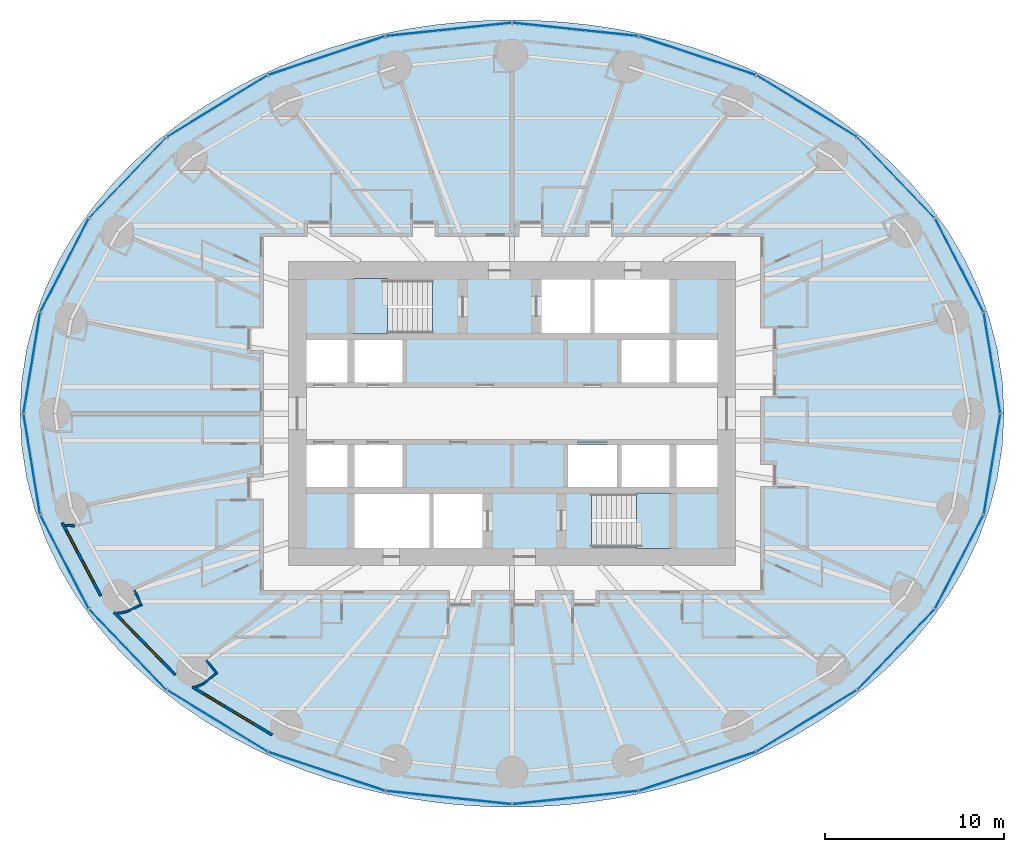
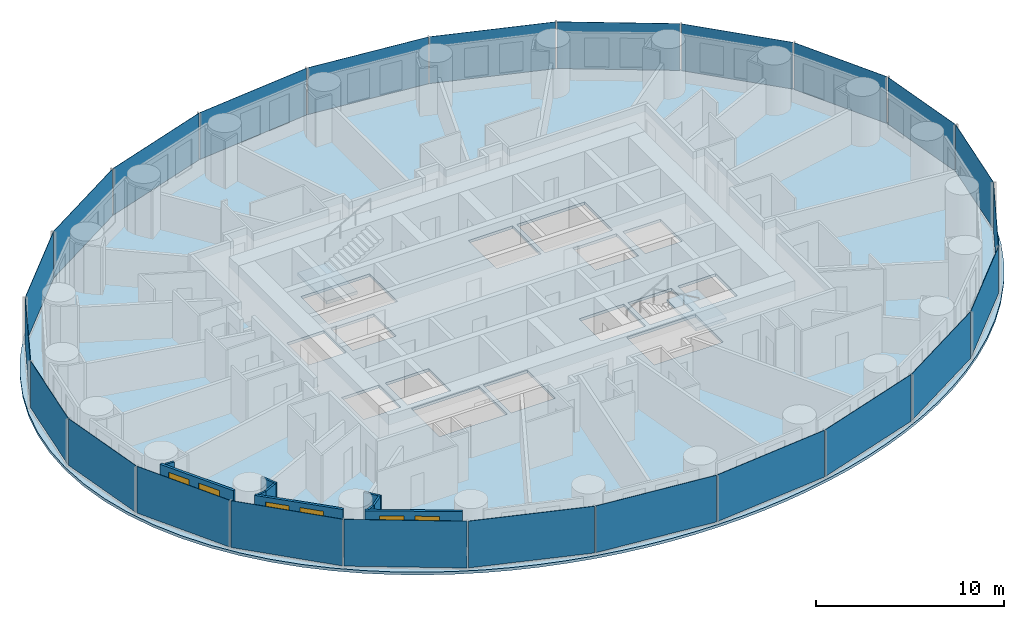
# One storey, part 5 of 14: 24 plates, 10 walls, 6 windows, 3 slabs, 6 openings, 6 elements without a shape of their own.
"""IFC4 building model written with IfcOpenShell, lengths in metres."""

import ifcopenshell
import ifcopenshell.guid

model = None  # the IFC model being written
_history = None  # IfcOwnerHistory: only IFC2X3 demands one
_inside = {}  # id of a spatial element -> (the spatial element, [elements in it])
_under = {}  # id of a project, library or spatial element -> (it, [spatial elements below it])
_declared = {}  # id of a project -> (the project, [libraries it declares])
_typed = {}  # id of a type object -> (the type object, [elements of that type])
_made_of = {}  # id of a material, layer set ... -> (it, [elements and type objects made of it])


def new_model(schema):
    """Start an empty IFC model of exactly this schema.

    Asked for "IFC4X3", IfcOpenShell would pick the latest addendum, in which some entities
    have other attributes; the version numbers below select the first issue.
    IFC2X3 requires an IfcOwnerHistory on every rooted entity: one is made here for all.
    """
    global model, _history
    if schema == "IFC4X3":
        model = ifcopenshell.file(schema_version=(4, 3, 0, 0))
    else:
        model = ifcopenshell.file(schema=schema)
    _inside.clear()
    _under.clear()
    _declared.clear()
    _typed.clear()
    _made_of.clear()
    _history = None
    if model.schema == "IFC2X3":
        org = make("IfcOrganization", Name="unknown")
        user = make(
            "IfcPersonAndOrganization",
            ThePerson=make("IfcPerson", FamilyName="unknown"),
            TheOrganization=org,
        )
        app = make(
            "IfcApplication",
            ApplicationDeveloper=org,
            Version="unknown",
            ApplicationFullName="unknown",
            ApplicationIdentifier="unknown",
        )
        _history = make(
            "IfcOwnerHistory",
            OwningUser=user,
            OwningApplication=app,
            ChangeAction="ADDED",
            CreationDate=0,
        )
    return model


def make(cls, **values):
    """One entity of the class cls with the attributes given. An attribute that is None is left unset."""
    return model.create_entity(
        cls, **{name: value for name, value in values.items() if value is not None}
    )


def rooted(cls, **values):
    """An entity with a GlobalId (a new one), such as an element, a storey or a relation."""
    return make(cls, GlobalId=ifcopenshell.guid.new(), OwnerHistory=_history, **values)


def si_unit(unit_type, name, prefix=None):
    """IfcSIUnit, for example si_unit("LENGTHUNIT", "METRE", prefix="MILLI")."""
    return make("IfcSIUnit", UnitType=unit_type, Prefix=prefix, Name=name)


def assignment(units):
    """IfcUnitAssignment: the units of a project."""
    return None if units is None else make("IfcUnitAssignment", Units=units)


def point(xyz):
    """IfcCartesianPoint."""
    return None if xyz is None else make("IfcCartesianPoint", Coordinates=xyz)


def direction(xyz):
    """IfcDirection."""
    return None if xyz is None else make("IfcDirection", DirectionRatios=xyz)


def frame(location, z_axis=None, x_axis=None):
    """IfcAxis2Placement3D, a coordinate frame: its origin and axes. An axis left out is left unset."""
    return make(
        "IfcAxis2Placement3D",
        Location=point(location),
        Axis=direction(z_axis),
        RefDirection=direction(x_axis),
    )


def frame_2d(location, x_axis=None):
    """IfcAxis2Placement2D, a coordinate frame in the plane: its origin and x axis."""
    return make(
        "IfcAxis2Placement2D", Location=point(location), RefDirection=direction(x_axis)
    )


def origin():
    """The frame at (0, 0, 0) with its axes left unset."""
    return frame((0.0, 0.0, 0.0))


def origin_2d():
    """The frame at (0, 0) in the plane with its x axis left unset."""
    return frame_2d((0.0, 0.0))


def place(relative_to, where):
    """IfcLocalPlacement: puts the frame where relative to a parent placement (None: the world)."""
    return make(
        "IfcLocalPlacement", PlacementRelTo=relative_to, RelativePlacement=where
    )


def context(
    kind, dimensions, precision=None, world=None, true_north=None, identifier=None
):
    """IfcGeometricRepresentationContext, for example the 3D "Model" context."""
    return make(
        "IfcGeometricRepresentationContext",
        ContextIdentifier=identifier,
        ContextType=kind,
        CoordinateSpaceDimension=dimensions,
        Precision=precision,
        WorldCoordinateSystem=world,
        TrueNorth=true_north,
    )


def subcontext(parent, identifier, kind, view, scale=None):
    """IfcGeometricRepresentationSubContext, for example "Body" below "Model"."""
    return make(
        "IfcGeometricRepresentationSubContext",
        ContextIdentifier=identifier,
        ContextType=kind,
        ParentContext=parent,
        TargetScale=scale,
        TargetView=view,
    )


def project(units=None, contexts=None):
    """IfcProject with its units and contexts."""
    return rooted(
        "IfcProject",
        Name="project",
        RepresentationContexts=contexts,
        UnitsInContext=assignment(units),
    )


def spatial(cls, under=None, at=None, **own):
    """A site, building, storey or space (cls), placed at a placement, below another one or the project."""
    s = rooted(cls, ObjectPlacement=at, **own)
    if under is not None:
        _under.setdefault(under.id(), (under, []))[1].append(s)
    return s


def polyline(points):
    """IfcPolyline through the points."""
    return make("IfcPolyline", Points=[point(p) for p in points])


def profile(cls, at=None, kind="AREA", **sizes):
    """A parametric profile (cls). Its sizes go by their IFC names, for example OverallWidth=200.0."""
    return make(cls, ProfileType=kind, Position=at, **sizes)


def rectangle(**sizes):
    """IfcRectangleProfileDef."""
    return profile("IfcRectangleProfileDef", **sizes)


def outline(outer, holes=None, kind="AREA"):
    """IfcArbitraryClosedProfileDef: a profile drawn as a closed curve; with holes, ...WithVoids."""
    if holes is None:
        return make("IfcArbitraryClosedProfileDef", ProfileType=kind, OuterCurve=outer)
    return make(
        "IfcArbitraryProfileDefWithVoids",
        ProfileType=kind,
        OuterCurve=outer,
        InnerCurves=holes,
    )


def extrude(swept, where, along, depth):
    """IfcExtrudedAreaSolid: the profile swept, set in the frame where, extruded along a direction by depth."""
    return make(
        "IfcExtrudedAreaSolid",
        SweptArea=swept,
        Position=where,
        ExtrudedDirection=direction(along),
        Depth=depth,
    )


def shape(context_of_items, identifier, shape_type, items):
    """IfcShapeRepresentation: the items that make up one representation, for example the "Body"."""
    return make(
        "IfcShapeRepresentation",
        ContextOfItems=context_of_items,
        RepresentationIdentifier=identifier,
        RepresentationType=shape_type,
        Items=items,
    )


def material(Name=None, Category=None):
    """IfcMaterial."""
    return make("IfcMaterial", Name=Name, Category=Category)


def layer(
    of_material, thickness, ventilated=None, Name=None, Category=None, Priority=None
):
    """IfcMaterialLayer: one layer of a wall or slab, of a material (None: an air gap)."""
    return make(
        "IfcMaterialLayer",
        Material=of_material,
        LayerThickness=thickness,
        IsVentilated=ventilated,
        Name=Name,
        Category=Category,
        Priority=Priority,
    )


def layer_set(layers, Name=None):
    """IfcMaterialLayerSet."""
    return make("IfcMaterialLayerSet", MaterialLayers=layers, LayerSetName=Name)


def made_of(thing, what):
    """Note that an element or type object is made of a material, layer set ...; save() writes the relation."""
    if what is not None:
        _made_of.setdefault(what.id(), (what, []))[1].append(thing)
    return thing


def type_object(cls, material=None, **own):
    """A type object (cls), such as IfcWallType, which elements share."""
    return made_of(rooted(cls, **own), material)


def element(
    cls,
    number,
    at=None,
    inside=None,
    cuts=None,
    type_object=None,
    material=None,
    context=None,
    identifier="Body",
    shape_type=None,
    held_by="IfcProductDefinitionShape",
    body=None,
    shapes=None,
    **own,
):
    """One element of the class cls, such as IfcWall. Its Tag is "e" and its number.

    at: its placement. inside: the storey or other place that contains it. cuts: it is an
    opening in that element (IfcRelVoidsElement). A single representation is given by context,
    identifier, shape_type and body (its items); several are given by shapes. held_by: the class
    of the entity that holds the representations. save() writes the other relations.
    """
    e = rooted(cls, Tag="e%d" % number, ObjectPlacement=at, **own)
    if body is not None:
        shapes = [shape(context, identifier, shape_type, body)]
    if shapes is not None:
        e.Representation = make(held_by, Representations=shapes)
    if inside is not None:
        _inside.setdefault(inside.id(), (inside, []))[1].append(e)
    if cuts is not None:
        rooted(
            "IfcRelVoidsElement", RelatingBuildingElement=cuts, RelatedOpeningElement=e
        )
    if type_object is not None:
        _typed.setdefault(type_object.id(), (type_object, []))[1].append(e)
    return made_of(e, material)


def fill(opening, filler):
    """IfcRelFillsElement: the door or window that sits in an opening."""
    return rooted(
        "IfcRelFillsElement",
        RelatingOpeningElement=opening,
        RelatedBuildingElement=filler,
    )


def aggregate(whole, parts):
    """IfcRelAggregates: a whole, such as a stair, and the parts it consists of."""
    return rooted("IfcRelAggregates", RelatingObject=whole, RelatedObjects=parts)


def save(model, path):
    """Write the relations noted so far, then the file.

    IfcRelAggregates (storeys below a building ...), IfcRelContainedInSpatialStructure (elements
    in a storey), IfcRelDefinesByType, IfcRelAssociatesMaterial and IfcRelDeclares: one each for
    every whole, place, type object, material and project.
    """
    for whole, parts in _under.values():
        aggregate(whole, parts)
    for where, things in _inside.values():
        rooted(
            "IfcRelContainedInSpatialStructure",
            RelatedElements=things,
            RelatingStructure=where,
        )
    for kind, things in _typed.values():
        rooted("IfcRelDefinesByType", RelatedObjects=things, RelatingType=kind)
    for what, things in _made_of.values():
        rooted("IfcRelAssociatesMaterial", RelatedObjects=things, RelatingMaterial=what)
    for by, libraries in _declared.values():
        rooted("IfcRelDeclares", RelatingContext=by, RelatedDefinitions=libraries)
    model.write(path)


model = new_model("IFC4")

# Units and contexts
model_context = context("Model", 3, precision=1e-05, world=origin(), true_north=direction((0.0, 1.0)))
body_context = subcontext(model_context, "Body", "Model", "MODEL_VIEW")
ifc_project = project(units=[si_unit("LENGTHUNIT", "METRE"), si_unit("AREAUNIT", "SQUARE_METRE"), si_unit("VOLUMEUNIT", "CUBIC_METRE"), si_unit("PLANEANGLEUNIT", "RADIAN"), si_unit("MASSUNIT", "GRAM", prefix="KILO")], contexts=[model_context])

# Site, building, storey
site_placement = place(None, origin())
site = spatial("IfcSite", under=ifc_project, at=site_placement, CompositionType="ELEMENT")
building_placement = place(site_placement, origin())
building = spatial("IfcBuilding", under=site, at=building_placement, Name="Hankou Lantern Tower", CompositionType="ELEMENT")
storey_placement = place(building_placement, frame((0.0, 0.0, 29.39990234375)))
storey = spatial("IfcBuildingStorey", under=building, at=storey_placement, Name="L05", CompositionType="ELEMENT", Elevation=29.39990234375)

# Curtain wall, plates
ifc_material_1 = material(Name="Glass, dark grey tinted laminated", Category="glass")
curtain_wall_type = type_object("IfcCurtainWallType", Name="CWA OUTER SKIN LOW-RISE", PredefinedType="USERDEFINED", material=ifc_material_1)
curtain_wall_1_placement = place(storey_placement, origin())
curtain_wall_1 = element("IfcCurtainWall", 1, at=curtain_wall_1_placement, inside=storey, type_object=curtain_wall_type, Name="CWA L05 OS1", ObjectType="OUTER SKIN LOW-RISE", PredefinedType="USERDEFINED")
ifc_material_2 = material(Name="Glass, dark grey tinted laminated", Category="glass")
ifc_layer_1 = layer(ifc_material_2, 0.02392578125)
ifc_layer_set_1 = layer_set([ifc_layer_1], Name="Glass, dark grey tinted laminated")
plate_type = type_object("IfcPlateType", Name="PN1 OUTER SKIN GLASS PANEL", PredefinedType="CURTAIN_PANEL", material=ifc_layer_set_1)
plate_1_placement = place(storey_placement, frame((26.8349609375, 2.826416015625, 0.080078125), z_axis=(0.0, 0.0, 1.0), x_axis=(-0.162381515188, 0.986728049427, 0.0)))
plate_1 = element("IfcPlate", 2, at=plate_1_placement, type_object=plate_type, Name="CWA glass panel 1", PredefinedType="CURTAIN_PANEL", context=body_context, shape_type="SweptSolid", body=[
    extrude(rectangle(XDim=5.648681640625, YDim=0.02392578125, at=origin_2d()), origin(), (0.0, 0.0, 1.0), 3.0400390625),
])
plate_2_placement = place(storey_placement, frame((25.006103515625, 8.286376953125, 0.080078125), z_axis=(0.0, 0.0, 1.0), x_axis=(-0.459791091957, 0.888027112062, 0.0)))
plate_2 = element("IfcPlate", 3, at=plate_2_placement, type_object=plate_type, Name="CWA glass panel 2", PredefinedType="CURTAIN_PANEL", context=body_context, shape_type="SweptSolid", body=[
    extrude(rectangle(XDim=5.8515625, YDim=0.02392578125, at=origin_2d()), origin(), (0.0, 0.0, 1.0), 3.0400390625),
])
plate_3_placement = place(storey_placement, frame((21.47314453125, 13.181640625, 0.080078125), z_axis=(0.0, 0.0, 1.0), x_axis=(-0.692215809936, 0.721690565599, 0.0)))
plate_3 = element("IfcPlate", 4, at=plate_3_placement, type_object=plate_type, Name="CWA glass panel 3", PredefinedType="CURTAIN_PANEL", context=body_context, shape_type="SweptSolid", body=[
    extrude(rectangle(XDim=6.1875, YDim=0.02392578125, at=origin_2d()), origin(), (0.0, 0.0, 1.0), 3.0400390625),
])
plate_4_placement = place(storey_placement, frame((16.47705078125, 17.1787109375, 0.080078125), z_axis=(0.0, 0.0, 1.0), x_axis=(-0.852237151549, 0.523155653242, 0.0)))
plate_4 = element("IfcPlate", 5, at=plate_4_placement, type_object=plate_type, Name="CWA glass panel 4", PredefinedType="CURTAIN_PANEL", context=body_context, shape_type="SweptSolid", body=[
    extrude(rectangle(XDim=6.554443359375, YDim=0.02392578125, at=origin_2d()), origin(), (0.0, 0.0, 1.0), 3.0400390625),
])
plate_5_placement = place(storey_placement, frame((10.35791015625, 20.0048828125, 0.080078125), z_axis=(0.0, 0.0, 1.0), x_axis=(-0.949240677293, 0.31455068999, 0.0)))
plate_5 = element("IfcPlate", 6, at=plate_5_placement, type_object=plate_type, Name="CWA glass panel 5", PredefinedType="CURTAIN_PANEL", context=body_context, shape_type="SweptSolid", body=[
    extrude(rectangle(XDim=6.856201171875, YDim=0.02392578125, at=origin_2d()), origin(), (0.0, 0.0, 1.0), 3.0400390625),
])
plate_6_placement = place(storey_placement, frame((3.532958984375, 21.468017578125, 0.080078125), z_axis=(0.0, 0.0, 1.0), x_axis=(-0.994499359107, 0.104742659579, 0.0)))
plate_6 = element("IfcPlate", 7, at=plate_6_placement, type_object=plate_type, Name="CWA glass panel 6", PredefinedType="CURTAIN_PANEL", context=body_context, shape_type="SweptSolid", body=[
    extrude(rectangle(XDim=7.02490234375, YDim=0.02392578125, at=origin_2d()), origin(), (0.0, 0.0, 1.0), 3.0400390625),
])
aggregate(curtain_wall_1, [plate_1, plate_2, plate_3, plate_4, plate_5, plate_6])

curtain_wall_2_placement = place(storey_placement, origin())
curtain_wall_2 = element("IfcCurtainWall", 8, at=curtain_wall_2_placement, inside=storey, type_object=curtain_wall_type, Name="CWA L05 OS2", ObjectType="OUTER SKIN LOW-RISE", PredefinedType="USERDEFINED")
plate_7_placement = place(storey_placement, frame((-3.532958984375, 21.468017578125, 0.080078125), z_axis=(0.0, 0.0, 1.0), x_axis=(-0.994499359107, -0.104742659579, 0.0)))
plate_7 = element("IfcPlate", 9, at=plate_7_placement, type_object=plate_type, Name="CWA glass panel 1", PredefinedType="CURTAIN_PANEL", context=body_context, shape_type="SweptSolid", body=[
    extrude(rectangle(XDim=7.02490234375, YDim=0.02392578125, at=origin_2d()), origin(), (0.0, 0.0, 1.0), 3.0400390625),
])
plate_8_placement = place(storey_placement, frame((-10.35791015625, 20.0048828125, 0.080078125), z_axis=(0.0, 0.0, 1.0), x_axis=(-0.949240677293, -0.31455068999, 0.0)))
plate_8 = element("IfcPlate", 10, at=plate_8_placement, type_object=plate_type, Name="CWA glass panel 2", PredefinedType="CURTAIN_PANEL", context=body_context, shape_type="SweptSolid", body=[
    extrude(rectangle(XDim=6.856201171875, YDim=0.02392578125, at=origin_2d()), origin(), (0.0, 0.0, 1.0), 3.0400390625),
])
plate_9_placement = place(storey_placement, frame((-16.47705078125, 17.1787109375, 0.080078125), z_axis=(0.0, 0.0, 1.0), x_axis=(-0.852237151549, -0.523155653242, 0.0)))
plate_9 = element("IfcPlate", 11, at=plate_9_placement, type_object=plate_type, Name="CWA glass panel 3", PredefinedType="CURTAIN_PANEL", context=body_context, shape_type="SweptSolid", body=[
    extrude(rectangle(XDim=6.554443359375, YDim=0.02392578125, at=origin_2d()), origin(), (0.0, 0.0, 1.0), 3.0400390625),
])
plate_10_placement = place(storey_placement, frame((-21.47314453125, 13.181640625, 0.080078125), z_axis=(0.0, 0.0, 1.0), x_axis=(-0.692215809936, -0.721690565599, 0.0)))
plate_10 = element("IfcPlate", 12, at=plate_10_placement, type_object=plate_type, Name="CWA glass panel 4", PredefinedType="CURTAIN_PANEL", context=body_context, shape_type="SweptSolid", body=[
    extrude(rectangle(XDim=6.1875, YDim=0.02392578125, at=origin_2d()), origin(), (0.0, 0.0, 1.0), 3.0400390625),
])
plate_11_placement = place(storey_placement, frame((-25.006103515625, 8.286376953125, 0.080078125), z_axis=(0.0, 0.0, 1.0), x_axis=(-0.459791091957, -0.888027112062, 0.0)))
plate_11 = element("IfcPlate", 13, at=plate_11_placement, type_object=plate_type, Name="CWA glass panel 5", PredefinedType="CURTAIN_PANEL", context=body_context, shape_type="SweptSolid", body=[
    extrude(rectangle(XDim=5.8515625, YDim=0.02392578125, at=origin_2d()), origin(), (0.0, 0.0, 1.0), 3.0400390625),
])
plate_12_placement = place(storey_placement, frame((-26.8349609375, 2.826416015625, 0.080078125), z_axis=(0.0, 0.0, 1.0), x_axis=(-0.162381515188, -0.986728049427, 0.0)))
plate_12 = element("IfcPlate", 14, at=plate_12_placement, type_object=plate_type, Name="CWA glass panel 6", PredefinedType="CURTAIN_PANEL", context=body_context, shape_type="SweptSolid", body=[
    extrude(rectangle(XDim=5.648681640625, YDim=0.02392578125, at=origin_2d()), origin(), (0.0, 0.0, 1.0), 3.0400390625),
])
aggregate(curtain_wall_2, [plate_7, plate_8, plate_9, plate_10, plate_11, plate_12])

curtain_wall_3_placement = place(storey_placement, origin())
curtain_wall_3 = element("IfcCurtainWall", 15, at=curtain_wall_3_placement, inside=storey, type_object=curtain_wall_type, Name="CWA L05 OS3", ObjectType="OUTER SKIN LOW-RISE", PredefinedType="USERDEFINED")
plate_13_placement = place(storey_placement, frame((-26.8349609375, -2.826416015625, 0.080078125), z_axis=(0.0, 0.0, 1.0), x_axis=(0.162381515188, -0.986728049427, 0.0)))
plate_13 = element("IfcPlate", 16, at=plate_13_placement, type_object=plate_type, Name="CWA glass panel 1", PredefinedType="CURTAIN_PANEL", context=body_context, shape_type="SweptSolid", body=[
    extrude(rectangle(XDim=5.648681640625, YDim=0.02392578125, at=origin_2d()), origin(), (0.0, 0.0, 1.0), 3.0400390625),
])
plate_14_placement = place(storey_placement, frame((-25.006103515625, -8.286376953125, 0.080078125), z_axis=(0.0, 0.0, 1.0), x_axis=(0.459791091957, -0.888027112062, 0.0)))
plate_14 = element("IfcPlate", 17, at=plate_14_placement, type_object=plate_type, Name="CWA glass panel 2", PredefinedType="CURTAIN_PANEL", context=body_context, shape_type="SweptSolid", body=[
    extrude(rectangle(XDim=5.8515625, YDim=0.02392578125, at=origin_2d()), origin(), (0.0, 0.0, 1.0), 3.0400390625),
])
plate_15_placement = place(storey_placement, frame((-21.47314453125, -13.181640625, 0.080078125), z_axis=(0.0, 0.0, 1.0), x_axis=(0.692215809936, -0.721690565599, 0.0)))
plate_15 = element("IfcPlate", 18, at=plate_15_placement, type_object=plate_type, Name="CWA glass panel 3", PredefinedType="CURTAIN_PANEL", context=body_context, shape_type="SweptSolid", body=[
    extrude(rectangle(XDim=6.1875, YDim=0.02392578125, at=origin_2d()), origin(), (0.0, 0.0, 1.0), 3.0400390625),
])
plate_16_placement = place(storey_placement, frame((-16.47705078125, -17.1787109375, 0.080078125), z_axis=(0.0, 0.0, 1.0), x_axis=(0.852237151549, -0.523155653242, 0.0)))
plate_16 = element("IfcPlate", 19, at=plate_16_placement, type_object=plate_type, Name="CWA glass panel 4", PredefinedType="CURTAIN_PANEL", context=body_context, shape_type="SweptSolid", body=[
    extrude(rectangle(XDim=6.554443359375, YDim=0.02392578125, at=origin_2d()), origin(), (0.0, 0.0, 1.0), 3.0400390625),
])
plate_17_placement = place(storey_placement, frame((-10.35791015625, -20.0048828125, 0.080078125), z_axis=(0.0, 0.0, 1.0), x_axis=(0.949240677293, -0.31455068999, 0.0)))
plate_17 = element("IfcPlate", 20, at=plate_17_placement, type_object=plate_type, Name="CWA glass panel 5", PredefinedType="CURTAIN_PANEL", context=body_context, shape_type="SweptSolid", body=[
    extrude(rectangle(XDim=6.856201171875, YDim=0.02392578125, at=origin_2d()), origin(), (0.0, 0.0, 1.0), 3.0400390625),
])
plate_18_placement = place(storey_placement, frame((-3.532958984375, -21.468017578125, 0.080078125), z_axis=(0.0, 0.0, 1.0), x_axis=(0.994499359107, -0.104742659579, 0.0)))
plate_18 = element("IfcPlate", 21, at=plate_18_placement, type_object=plate_type, Name="CWA glass panel 6", PredefinedType="CURTAIN_PANEL", context=body_context, shape_type="SweptSolid", body=[
    extrude(rectangle(XDim=7.02490234375, YDim=0.02392578125, at=origin_2d()), origin(), (0.0, 0.0, 1.0), 3.0400390625),
])
aggregate(curtain_wall_3, [plate_13, plate_14, plate_15, plate_16, plate_17, plate_18])

curtain_wall_4_placement = place(storey_placement, origin())
curtain_wall_4 = element("IfcCurtainWall", 22, at=curtain_wall_4_placement, inside=storey, type_object=curtain_wall_type, Name="CWA L05 OS4", ObjectType="OUTER SKIN LOW-RISE", PredefinedType="USERDEFINED")
plate_19_placement = place(storey_placement, frame((3.532958984375, -21.468017578125, 0.080078125), z_axis=(0.0, 0.0, 1.0), x_axis=(0.994499359107, 0.104742659579, 0.0)))
plate_19 = element("IfcPlate", 23, at=plate_19_placement, type_object=plate_type, Name="CWA glass panel 1", PredefinedType="CURTAIN_PANEL", context=body_context, shape_type="SweptSolid", body=[
    extrude(rectangle(XDim=7.02490234375, YDim=0.02392578125, at=origin_2d()), origin(), (0.0, 0.0, 1.0), 3.0400390625),
])
plate_20_placement = place(storey_placement, frame((10.35791015625, -20.0048828125, 0.080078125), z_axis=(0.0, 0.0, 1.0), x_axis=(0.949240677293, 0.31455068999, 0.0)))
plate_20 = element("IfcPlate", 24, at=plate_20_placement, type_object=plate_type, Name="CWA glass panel 2", PredefinedType="CURTAIN_PANEL", context=body_context, shape_type="SweptSolid", body=[
    extrude(rectangle(XDim=6.856201171875, YDim=0.02392578125, at=origin_2d()), origin(), (0.0, 0.0, 1.0), 3.0400390625),
])
plate_21_placement = place(storey_placement, frame((16.47705078125, -17.1787109375, 0.080078125), z_axis=(0.0, 0.0, 1.0), x_axis=(0.852237151549, 0.523155653242, 0.0)))
plate_21 = element("IfcPlate", 25, at=plate_21_placement, type_object=plate_type, Name="CWA glass panel 3", PredefinedType="CURTAIN_PANEL", context=body_context, shape_type="SweptSolid", body=[
    extrude(rectangle(XDim=6.554443359375, YDim=0.02392578125, at=origin_2d()), origin(), (0.0, 0.0, 1.0), 3.0400390625),
])
plate_22_placement = place(storey_placement, frame((21.47314453125, -13.181640625, 0.080078125), z_axis=(0.0, 0.0, 1.0), x_axis=(0.692215809936, 0.721690565599, 0.0)))
plate_22 = element("IfcPlate", 26, at=plate_22_placement, type_object=plate_type, Name="CWA glass panel 4", PredefinedType="CURTAIN_PANEL", context=body_context, shape_type="SweptSolid", body=[
    extrude(rectangle(XDim=6.1875, YDim=0.02392578125, at=origin_2d()), origin(), (0.0, 0.0, 1.0), 3.0400390625),
])
plate_23_placement = place(storey_placement, frame((25.006103515625, -8.286376953125, 0.080078125), z_axis=(0.0, 0.0, 1.0), x_axis=(0.459791091957, 0.888027112062, 0.0)))
plate_23 = element("IfcPlate", 27, at=plate_23_placement, type_object=plate_type, Name="CWA glass panel 5", PredefinedType="CURTAIN_PANEL", context=body_context, shape_type="SweptSolid", body=[
    extrude(rectangle(XDim=5.8515625, YDim=0.02392578125, at=origin_2d()), origin(), (0.0, 0.0, 1.0), 3.0400390625),
])
plate_24_placement = place(storey_placement, frame((26.8349609375, -2.826416015625, 0.080078125), z_axis=(0.0, 0.0, 1.0), x_axis=(0.162381515188, 0.986728049427, 0.0)))
plate_24 = element("IfcPlate", 28, at=plate_24_placement, type_object=plate_type, Name="CWA glass panel 6", PredefinedType="CURTAIN_PANEL", context=body_context, shape_type="SweptSolid", body=[
    extrude(rectangle(XDim=5.648681640625, YDim=0.02392578125, at=origin_2d()), origin(), (0.0, 0.0, 1.0), 3.0400390625),
])
aggregate(curtain_wall_4, [plate_19, plate_20, plate_21, plate_22, plate_23, plate_24])

# Slab
ifc_material_3 = material(Name="Concrete C50", Category="concrete")
ifc_layer_2 = layer(ifc_material_3, 0.179931640625)
ifc_layer_set_2 = layer_set([ifc_layer_2], Name="Concrete C50")
slab_type_1 = type_object("IfcSlabType", Name="S1 CONCRETE FLOOR SLAB 180", PredefinedType="FLOOR", material=ifc_layer_set_2)
slab_1_placement = place(storey_placement, frame((0.0, 0.0, -0.179931640625)))
element("IfcSlab", 29, at=slab_1_placement, inside=storey, type_object=slab_type_1, Name="Floor slab L05", PredefinedType="FLOOR", context=body_context, shape_type="SweptSolid", body=[
    extrude(outline(polyline([(27.5, 0.0), (27.408203125, 1.79638671875), (27.135009765625, 3.572509765625), (26.6875, 5.308349609375), (26.076171875, 6.987060546875), (25.3154296875, 8.593505859375), (24.420654296875, 10.115478515625), (23.40966796875, 11.54443359375), (22.29931640625, 12.87451171875), (21.1064453125, 14.102783203125), (19.846435546875, 15.228759765625), (18.533447265625, 16.25341796875), (17.17919921875, 17.17919921875), (15.794189453125, 18.009765625), (14.38671875, 18.749267578125), (12.964111328125, 19.402099609375), (11.53125, 19.972412109375), (10.09228515625, 20.46484375), (8.650146484375, 20.88330078125), (7.20703125, 21.23095703125), (5.763916015625, 21.51123046875), (4.32177734375, 21.7265625), (2.88037109375, 21.87890625), (1.43994140625, 21.9697265625), (0.0, 22.0), (-1.43994140625, 21.9697265625), (-2.88037109375, 21.87890625), (-4.32177734375, 21.7265625), (-5.763916015625, 21.51123046875), (-7.20703125, 21.23095703125), (-8.650146484375, 20.88330078125), (-10.09228515625, 20.46484375), (-11.53125, 19.972412109375), (-12.964111328125, 19.402099609375), (-14.38671875, 18.749267578125), (-15.794189453125, 18.009765625), (-17.17919921875, 17.17919921875), (-18.533447265625, 16.25341796875), (-19.846435546875, 15.228759765625), (-21.1064453125, 14.102783203125), (-22.29931640625, 12.87451171875), (-23.40966796875, 11.54443359375), (-24.420654296875, 10.115478515625), (-25.3154296875, 8.593505859375), (-26.076171875, 6.987060546875), (-26.6875, 5.308349609375), (-27.135009765625, 3.572509765625), (-27.408203125, 1.79638671875), (-27.5, 0.0), (-27.408203125, -1.79638671875), (-27.135009765625, -3.572509765625), (-26.6875, -5.308349609375), (-26.076171875, -6.987060546875), (-25.3154296875, -8.593505859375), (-24.420654296875, -10.115478515625), (-23.40966796875, -11.54443359375), (-22.29931640625, -12.87451171875), (-21.1064453125, -14.102783203125), (-19.846435546875, -15.228759765625), (-18.533447265625, -16.25341796875), (-17.17919921875, -17.17919921875), (-15.794189453125, -18.009765625), (-14.38671875, -18.749267578125), (-12.964111328125, -19.402099609375), (-11.53125, -19.972412109375), (-10.09228515625, -20.46484375), (-8.650146484375, -20.88330078125), (-7.20703125, -21.23095703125), (-5.763916015625, -21.51123046875), (-4.32177734375, -21.7265625), (-2.88037109375, -21.87890625), (-1.43994140625, -21.9697265625), (0.0, -22.0), (1.43994140625, -21.9697265625), (2.88037109375, -21.87890625), (4.32177734375, -21.7265625), (5.763916015625, -21.51123046875), (7.20703125, -21.23095703125), (8.650146484375, -20.88330078125), (10.09228515625, -20.46484375), (11.53125, -19.972412109375), (12.964111328125, -19.402099609375), (14.38671875, -18.749267578125), (15.794189453125, -18.009765625), (17.17919921875, -17.17919921875), (18.533447265625, -16.25341796875), (19.846435546875, -15.228759765625), (21.1064453125, -14.102783203125), (22.29931640625, -12.87451171875), (23.40966796875, -11.54443359375), (24.420654296875, -10.115478515625), (25.3154296875, -8.593505859375), (26.076171875, -6.987060546875), (26.6875, -5.308349609375), (27.135009765625, -3.572509765625), (27.408203125, -1.79638671875), (27.5, 0.0)]), holes=[polyline([(-11.5, 4.10009765625), (-9.199951171875, 4.10009765625), (-9.199951171875, 1.75), (-11.5, 1.75), (-11.5, 4.10009765625)]), polyline([(-8.800048828125, 4.10009765625), (-6.125, 4.10009765625), (-6.125, 1.75), (-8.800048828125, 1.75), (-8.800048828125, 4.10009765625)]), polyline([(6.125, 4.10009765625), (8.800048828125, 4.10009765625), (8.800048828125, 1.75), (6.125, 1.75), (6.125, 4.10009765625)]), polyline([(9.199951171875, 4.10009765625), (11.5, 4.10009765625), (11.5, 1.75), (9.199951171875, 1.75), (9.199951171875, 4.10009765625)]), polyline([(-11.5, -1.75), (-9.199951171875, -1.75), (-9.199951171875, -4.10009765625), (-11.5, -4.10009765625), (-11.5, -1.75)]), polyline([(-8.800048828125, -1.75), (-6.125, -1.75), (-6.125, -4.10009765625), (-8.800048828125, -4.10009765625), (-8.800048828125, -1.75)]), polyline([(3.125, -1.75), (5.875, -1.75), (5.875, -4.10009765625), (3.125, -4.10009765625), (3.125, -1.75)]), polyline([(6.125, -1.75), (8.800048828125, -1.75), (8.800048828125, -4.10009765625), (6.125, -4.10009765625), (6.125, -1.75)]), polyline([(9.199951171875, -1.75), (11.5, -1.75), (11.5, -4.10009765625), (9.199951171875, -4.10009765625), (9.199951171875, -1.75)]), polyline([(1.64990234375, 7.5), (4.375, 7.5), (4.375, 4.5), (1.64990234375, 4.5), (1.64990234375, 7.5)]), polyline([(-4.375, -4.5), (-1.64990234375, -4.5), (-1.64990234375, -7.5), (-4.375, -7.5), (-4.375, -4.5)]), polyline([(-8.699951171875, 7.449951171875), (-4.449951171875, 7.449951171875), (-4.449951171875, 4.5), (-8.699951171875, 4.5), (-8.699951171875, 7.449951171875)]), polyline([(4.449951171875, -4.5), (8.699951171875, -4.5), (8.699951171875, -7.449951171875), (4.449951171875, -7.449951171875), (4.449951171875, -4.5)]), polyline([(4.625, 7.5), (8.800048828125, 7.5), (8.800048828125, 4.5), (4.625, 4.5), (4.625, 7.5)]), polyline([(-8.800048828125, -4.5), (-4.625, -4.5), (-4.625, -7.5), (-8.800048828125, -7.5), (-8.800048828125, -4.5)])]), origin(), (0.0, 0.0, 1.0), 0.179931640625),
])

# Stair, slab
ifc_material_4 = material(Name="Concrete C40", Category="concrete")
stair_type = type_object("IfcStairType", Name="ST33 CORE STAIR 3300 RISE", PredefinedType="HALF_TURN_STAIR", material=ifc_material_4)
stair_1_placement = place(storey_placement, origin())
stair_1 = element("IfcStair", 30, at=stair_1_placement, inside=storey, type_object=stair_type, Name="Stair STA L05", PredefinedType="HALF_TURN_STAIR")
ifc_material_5 = material(Name="Concrete C40", Category="concrete")
ifc_layer_3 = layer(ifc_material_5, 0.199951171875)
ifc_layer_set_3 = layer_set([ifc_layer_3], Name="Concrete C40")
slab_type_2 = type_object("IfcSlabType", Name="SL1 STAIR LANDING 200", PredefinedType="LANDING", material=ifc_layer_set_3)
slab_2_placement = place(storey_placement, frame((0.0, 0.0, 1.37158203125)))
slab_2 = element("IfcSlab", 31, at=slab_2_placement, type_object=slab_type_2, Name="STA landing 1", PredefinedType="LANDING", context=body_context, shape_type="SweptSolid", body=[
    extrude(outline(polyline([(-8.85009765625, 4.449951171875), (-6.949951171875, 4.449951171875), (-6.949951171875, 7.550048828125), (-8.85009765625, 7.550048828125), (-8.85009765625, 4.449951171875)])), origin(), (0.0, 0.0, 1.0), 0.199951171875),
])
aggregate(stair_1, [slab_2])

stair_2_placement = place(storey_placement, origin())
stair_2 = element("IfcStair", 32, at=stair_2_placement, inside=storey, type_object=stair_type, Name="Stair STB L05", PredefinedType="HALF_TURN_STAIR")
slab_3_placement = place(storey_placement, frame((0.0, 0.0, 1.37158203125)))
slab_3 = element("IfcSlab", 33, at=slab_3_placement, type_object=slab_type_2, Name="STB landing 1", PredefinedType="LANDING", context=body_context, shape_type="SweptSolid", body=[
    extrude(outline(polyline([(8.85009765625, -4.449951171875), (6.949951171875, -4.449951171875), (6.949951171875, -7.550048828125), (8.85009765625, -7.550048828125), (8.85009765625, -4.449951171875)])), origin(), (0.0, 0.0, 1.0), 0.199951171875),
])
aggregate(stair_2, [slab_3])

# Wall, openings, windows
ifc_material_6 = material(Name="Aluminium spandrel panel on steel studs", Category="steel")
ifc_layer_4 = layer(ifc_material_6, 0.14990234375)
ifc_layer_set_4 = layer_set([ifc_layer_4], Name="Aluminium spandrel panel on steel studs")
wall_type_1 = type_object("IfcWallType", Name="EW1 INNER SKIN WALL 150", PredefinedType="ELEMENTEDWALL", material=ifc_layer_set_4)
wall_1_placement = place(storey_placement, frame((-25.138671875, -6.11279296875, 0.0), z_axis=(0.0, 0.0, 1.0), x_axis=(0.467303182954, -0.884097129959, 0.0)))
wall_1 = element("IfcWall", 34, at=wall_1_placement, inside=storey, type_object=wall_type_1, Name="Inner skin R14-R15 L05", PredefinedType="ELEMENTEDWALL", context=body_context, shape_type="SweptSolid", body=[
    extrude(rectangle(XDim=4.6064453125, YDim=0.14990234375, at=frame_2d((2.30322265625, 0.0))), origin(), (0.0, 0.0, 1.0), 3.1201171875),
])
opening_1_placement = place(wall_1_placement, frame((0.531494140625, 0.0, 0.89990234375)))
opening_1 = element("IfcOpeningElement", 35, at=opening_1_placement, cuts=wall_1, Name="Opening W9", PredefinedType="OPENING", context=body_context, shape_type="SweptSolid", body=[
    extrude(rectangle(XDim=1.300048828125, YDim=1.89990234375, at=frame_2d((0.64990234375, 0.949951171875))), frame((0.0, 0.0849609375, 0.0), z_axis=(0.0, -1.0, 0.0), x_axis=(1.0, 0.0, 0.0)), (0.0, 0.0, 1.0), 0.169921875),
])
opening_2_placement = place(wall_1_placement, frame((2.431640625, 0.0, 0.89990234375)))
opening_2 = element("IfcOpeningElement", 36, at=opening_2_placement, cuts=wall_1, Name="Opening W9", PredefinedType="OPENING", context=body_context, shape_type="SweptSolid", body=[
    extrude(rectangle(XDim=1.300048828125, YDim=1.89990234375, at=frame_2d((0.64990234375, 0.949951171875))), frame((0.0, 0.0849609375, 0.0), z_axis=(0.0, -1.0, 0.0), x_axis=(1.0, 0.0, 0.0)), (0.0, 0.0, 1.0), 0.169921875),
])
ifc_material_7 = material(Name="Aluminium framed double glazed window", Category="aluminium")
window_type = type_object("IfcWindowType", Name="W9 GUEST ROOM WINDOW 1300X1900", PartitioningType="DOUBLE_PANEL_VERTICAL", PredefinedType="WINDOW", material=ifc_material_7)
window_1_placement = place(opening_1_placement, origin())
window_1 = element("IfcWindow", 37, at=window_1_placement, inside=storey, type_object=window_type, Name="Window R14.1 L05", OverallHeight=1.89990234375, OverallWidth=1.300048828125, PartitioningType="SINGLE_PANEL", PredefinedType="WINDOW", context=body_context, shape_type="SweptSolid", body=[
    extrude(rectangle(XDim=1.300048828125, YDim=1.89990234375, at=frame_2d((0.64990234375, 0.949951171875))), frame((0.0, 0.030029296875, 0.0), z_axis=(0.0, -1.0, 0.0), x_axis=(1.0, 0.0, 0.0)), (0.0, 0.0, 1.0), 0.06005859375),
])
fill(opening_1, window_1)
window_2_placement = place(opening_2_placement, origin())
window_2 = element("IfcWindow", 38, at=window_2_placement, inside=storey, type_object=window_type, Name="Window R14.2 L05", OverallHeight=1.89990234375, OverallWidth=1.300048828125, PartitioningType="SINGLE_PANEL", PredefinedType="WINDOW", context=body_context, shape_type="SweptSolid", body=[
    extrude(rectangle(XDim=1.300048828125, YDim=1.89990234375, at=frame_2d((0.64990234375, 0.949951171875))), frame((0.0, 0.030029296875, 0.0), z_axis=(0.0, -1.0, 0.0), x_axis=(1.0, 0.0, 0.0)), (0.0, 0.0, 1.0), 0.06005859375),
])
fill(opening_2, window_2)

wall_2_placement = place(storey_placement, frame((-22.23876953125, -11.1083984375, 0.0), z_axis=(0.0, 0.0, 1.0), x_axis=(0.699612594083, -0.714522370679, 0.0)))
wall_2 = element("IfcWall", 39, at=wall_2_placement, inside=storey, type_object=wall_type_1, Name="Inner skin R15-R16 L05", PredefinedType="ELEMENTEDWALL", context=body_context, shape_type="SweptSolid", body=[
    extrude(rectangle(XDim=4.89599609375, YDim=0.14990234375, at=frame_2d((2.447998046875, 0.0))), origin(), (0.0, 0.0, 1.0), 3.1201171875),
])
opening_3_placement = place(wall_2_placement, frame((0.619140625, 0.0, 0.89990234375)))
opening_3 = element("IfcOpeningElement", 40, at=opening_3_placement, cuts=wall_2, Name="Opening W9", PredefinedType="OPENING", context=body_context, shape_type="SweptSolid", body=[
    extrude(rectangle(XDim=1.300048828125, YDim=1.89990234375, at=frame_2d((0.64990234375, 0.949951171875))), frame((0.0, 0.0849609375, 0.0), z_axis=(0.0, -1.0, 0.0), x_axis=(1.0, 0.0, 0.0)), (0.0, 0.0, 1.0), 0.169921875),
])
opening_4_placement = place(wall_2_placement, frame((2.51904296875, 0.0, 0.89990234375)))
opening_4 = element("IfcOpeningElement", 41, at=opening_4_placement, cuts=wall_2, Name="Opening W9", PredefinedType="OPENING", context=body_context, shape_type="SweptSolid", body=[
    extrude(rectangle(XDim=1.300048828125, YDim=1.89990234375, at=frame_2d((0.64990234375, 0.949951171875))), frame((0.0, 0.0849609375, 0.0), z_axis=(0.0, -1.0, 0.0), x_axis=(1.0, 0.0, 0.0)), (0.0, 0.0, 1.0), 0.169921875),
])
window_3_placement = place(opening_3_placement, origin())
window_3 = element("IfcWindow", 42, at=window_3_placement, inside=storey, type_object=window_type, Name="Window R15.1 L05", OverallHeight=1.89990234375, OverallWidth=1.300048828125, PartitioningType="SINGLE_PANEL", PredefinedType="WINDOW", context=body_context, shape_type="SweptSolid", body=[
    extrude(rectangle(XDim=1.300048828125, YDim=1.89990234375, at=frame_2d((0.64990234375, 0.949951171875))), frame((0.0, 0.030029296875, 0.0), z_axis=(0.0, -1.0, 0.0), x_axis=(1.0, 0.0, 0.0)), (0.0, 0.0, 1.0), 0.06005859375),
])
fill(opening_3, window_3)
window_4_placement = place(opening_4_placement, origin())
window_4 = element("IfcWindow", 43, at=window_4_placement, inside=storey, type_object=window_type, Name="Window R15.2 L05", OverallHeight=1.89990234375, OverallWidth=1.300048828125, PartitioningType="SINGLE_PANEL", PredefinedType="WINDOW", context=body_context, shape_type="SweptSolid", body=[
    extrude(rectangle(XDim=1.300048828125, YDim=1.89990234375, at=frame_2d((0.64990234375, 0.949951171875))), frame((0.0, 0.030029296875, 0.0), z_axis=(0.0, -1.0, 0.0), x_axis=(1.0, 0.0, 0.0)), (0.0, 0.0, 1.0), 0.06005859375),
])
fill(opening_4, window_4)

wall_3_placement = place(storey_placement, frame((-17.869384765625, -15.276611328125, 0.0), z_axis=(0.0, 0.0, 1.0), x_axis=(0.856958191554, -0.515385931054, 0.0)))
wall_3 = element("IfcWall", 44, at=wall_3_placement, inside=storey, type_object=wall_type_1, Name="Inner skin R16-R17 L05", PredefinedType="ELEMENTEDWALL", context=body_context, shape_type="SweptSolid", body=[
    extrude(rectangle(XDim=5.201171875, YDim=0.14990234375, at=frame_2d((2.6005859375, 0.0))), origin(), (0.0, 0.0, 1.0), 3.1201171875),
])
opening_5_placement = place(wall_3_placement, frame((0.7763671875, 0.0, 0.89990234375)))
opening_5 = element("IfcOpeningElement", 45, at=opening_5_placement, cuts=wall_3, Name="Opening W9", PredefinedType="OPENING", context=body_context, shape_type="SweptSolid", body=[
    extrude(rectangle(XDim=1.300048828125, YDim=1.89990234375, at=frame_2d((0.64990234375, 0.949951171875))), frame((0.0, 0.0849609375, 0.0), z_axis=(0.0, -1.0, 0.0), x_axis=(1.0, 0.0, 0.0)), (0.0, 0.0, 1.0), 0.169921875),
])
opening_6_placement = place(wall_3_placement, frame((2.67626953125, 0.0, 0.89990234375)))
opening_6 = element("IfcOpeningElement", 46, at=opening_6_placement, cuts=wall_3, Name="Opening W9", PredefinedType="OPENING", context=body_context, shape_type="SweptSolid", body=[
    extrude(rectangle(XDim=1.300048828125, YDim=1.89990234375, at=frame_2d((0.64990234375, 0.949951171875))), frame((0.0, 0.0849609375, 0.0), z_axis=(0.0, -1.0, 0.0), x_axis=(1.0, 0.0, 0.0)), (0.0, 0.0, 1.0), 0.169921875),
])
window_5_placement = place(opening_5_placement, origin())
window_5 = element("IfcWindow", 47, at=window_5_placement, inside=storey, type_object=window_type, Name="Window R16.1 L05", OverallHeight=1.89990234375, OverallWidth=1.300048828125, PartitioningType="SINGLE_PANEL", PredefinedType="WINDOW", context=body_context, shape_type="SweptSolid", body=[
    extrude(rectangle(XDim=1.300048828125, YDim=1.89990234375, at=frame_2d((0.64990234375, 0.949951171875))), frame((0.0, 0.030029296875, 0.0), z_axis=(0.0, -1.0, 0.0), x_axis=(1.0, 0.0, 0.0)), (0.0, 0.0, 1.0), 0.06005859375),
])
fill(opening_5, window_5)
window_6_placement = place(opening_6_placement, origin())
window_6 = element("IfcWindow", 48, at=window_6_placement, inside=storey, type_object=window_type, Name="Window R16.2 L05", OverallHeight=1.89990234375, OverallWidth=1.300048828125, PartitioningType="SINGLE_PANEL", PredefinedType="WINDOW", context=body_context, shape_type="SweptSolid", body=[
    extrude(rectangle(XDim=1.300048828125, YDim=1.89990234375, at=frame_2d((0.64990234375, 0.949951171875))), frame((0.0, 0.030029296875, 0.0), z_axis=(0.0, -1.0, 0.0), x_axis=(1.0, 0.0, 0.0)), (0.0, 0.0, 1.0), 0.06005859375),
])
fill(opening_6, window_6)

# Walls
ifc_material_8 = material(Name="Masonry lightweight concrete block", Category="masonry")
ifc_layer_5 = layer(ifc_material_8, 0.1201171875)
ifc_layer_set_5 = layer_set([ifc_layer_5], Name="Masonry lightweight concrete block")
wall_type_2 = type_object("IfcWallType", Name="IW4 PARTITION 120", PredefinedType="PARTITIONING", material=ifc_layer_set_5)
wall_4_placement = place(storey_placement, frame((-24.434326171875, -6.275390625, 0.0), z_axis=(0.0, 0.0, 1.0), x_axis=(-0.998714959873, 0.050679669751, 0.0)))
element("IfcWall", 49, at=wall_4_placement, inside=storey, type_object=wall_type_2, Name="Column casing R14", PredefinedType="PARTITIONING", context=body_context, shape_type="SweptSolid", body=[
    extrude(rectangle(XDim=0.525146484375, YDim=0.1201171875, at=frame_2d((0.2626953125, 0.0))), origin(), (0.0, 0.0, 1.0), 3.1201171875),
])
wall_5_placement = place(storey_placement, frame((-21.105712890625, -9.8583984375, 0.0), z_axis=(0.0, 0.0, 1.0), x_axis=(0.419344098106, -0.907827366509, 0.0)))
element("IfcWall", 50, at=wall_5_placement, inside=storey, type_object=wall_type_2, Name="Column casing R15 return", PredefinedType="PARTITIONING", context=body_context, shape_type="SweptSolid", body=[
    extrude(rectangle(XDim=0.974609375, YDim=0.1201171875, at=frame_2d((0.4873046875, 0.0))), origin(), (0.0, 0.0, 1.0), 3.1201171875),
])
wall_6_placement = place(storey_placement, frame((-20.776611328125, -10.7138671875, 0.0), z_axis=(0.0, 0.0, 1.0), x_axis=(-0.907832324198, -0.419333365166, 0.0)))
element("IfcWall", 51, at=wall_6_placement, inside=storey, type_object=wall_type_2, Name="Column casing R15", PredefinedType="PARTITIONING", context=body_context, shape_type="SweptSolid", body=[
    extrude(rectangle(XDim=0.900146484375, YDim=0.1201171875, at=frame_2d((0.4501953125, 0.0))), origin(), (0.0, 0.0, 1.0), 3.1201171875),
])
wall_7_placement = place(storey_placement, frame((-21.59375, -11.09130859375, 0.0), z_axis=(0.0, 0.0, 1.0), x_axis=(-0.985483306792, -0.169772353566, 0.0)))
element("IfcWall", 52, at=wall_7_placement, inside=storey, type_object=wall_type_2, Name="Column casing R15", PredefinedType="PARTITIONING", context=body_context, shape_type="SweptSolid", body=[
    extrude(rectangle(XDim=0.486083984375, YDim=0.1201171875, at=frame_2d((0.2431640625, 0.0))), origin(), (0.0, 0.0, 1.0), 3.1201171875),
])
wall_8_placement = place(storey_placement, frame((-17.07958984375, -13.791748046875, 0.0), z_axis=(0.0, 0.0, 1.0), x_axis=(0.624756144097, -0.780819928289, 0.0)))
element("IfcWall", 53, at=wall_8_placement, inside=storey, type_object=wall_type_2, Name="Column casing R16 return", PredefinedType="PARTITIONING", context=body_context, shape_type="SweptSolid", body=[
    extrude(rectangle(XDim=0.974609375, YDim=0.1201171875, at=frame_2d((0.4873046875, 0.0))), origin(), (0.0, 0.0, 1.0), 3.1201171875),
])
wall_9_placement = place(storey_placement, frame((-16.55517578125, -14.54345703125, 0.0), z_axis=(0.0, 0.0, 1.0), x_axis=(-0.780789399477, -0.62479429708, 0.0)))
element("IfcWall", 54, at=wall_9_placement, inside=storey, type_object=wall_type_2, Name="Column casing R16", PredefinedType="PARTITIONING", context=body_context, shape_type="SweptSolid", body=[
    extrude(rectangle(XDim=0.89990234375, YDim=0.1201171875, at=frame_2d((0.449951171875, 0.0))), origin(), (0.0, 0.0, 1.0), 3.1201171875),
])
wall_10_placement = place(storey_placement, frame((-17.2578125, -15.105712890625, 0.0), z_axis=(0.0, 0.0, 1.0), x_axis=(-0.916098562583, -0.400953143937, 0.0)))
element("IfcWall", 55, at=wall_10_placement, inside=storey, type_object=wall_type_2, Name="Column casing R16", PredefinedType="PARTITIONING", context=body_context, shape_type="SweptSolid", body=[
    extrude(rectangle(XDim=0.476806640625, YDim=0.1201171875, at=frame_2d((0.23828125, 0.0))), origin(), (0.0, 0.0, 1.0), 3.1201171875),
])

save(model, "model.ifc")
